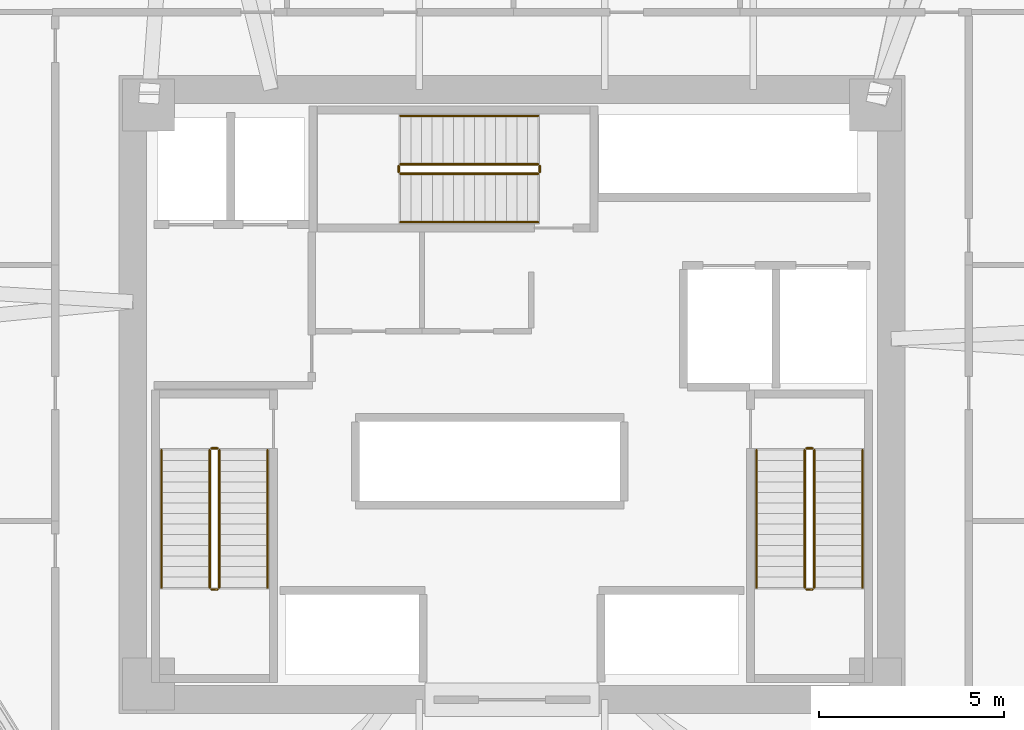
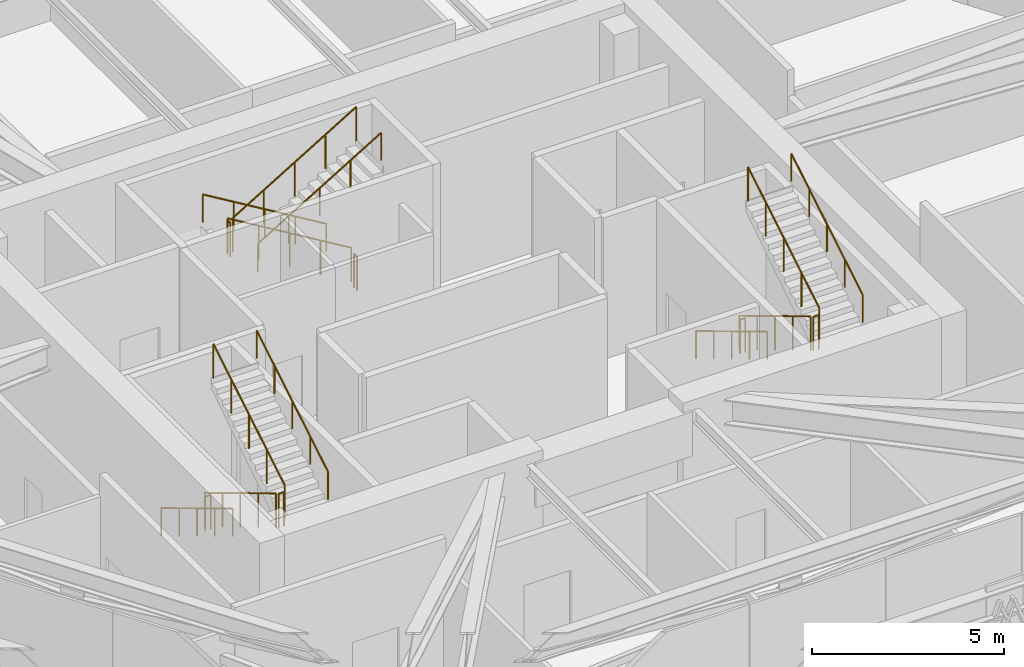
# One storey, part 10 of 10: 18 railings.
"""IFC4 building model written with IfcOpenShell, lengths in metres."""

from ifc_helpers import new_model, si_unit, direction, frame, origin, origin_2d, place, context, subcontext, project, spatial, circle, extrude, material, type_object, element, save


model = new_model("IFC4")

# Units and contexts
model_context = context("Model", 3, precision=1e-05, world=origin(), true_north=direction((0.0, 1.0)))
body_context = subcontext(model_context, "Body", "Model", "MODEL_VIEW")
ifc_project = project(units=[si_unit("LENGTHUNIT", "METRE"), si_unit("AREAUNIT", "SQUARE_METRE"), si_unit("VOLUMEUNIT", "CUBIC_METRE"), si_unit("PLANEANGLEUNIT", "RADIAN"), si_unit("MASSUNIT", "GRAM", prefix="KILO")], contexts=[model_context])

# Site, building, storey
site_placement = place(None, origin())
site = spatial("IfcSite", under=ifc_project, at=site_placement, CompositionType="ELEMENT")
building_placement = place(site_placement, origin())
building = spatial("IfcBuilding", under=site, at=building_placement, Name="Durnholm Broadcast Tower", CompositionType="ELEMENT")
storey_placement = place(building_placement, frame((0.0, 0.0, 88.5)))
storey = spatial("IfcBuildingStorey", under=building, at=storey_placement, Name="L23", CompositionType="ELEMENT", Elevation=88.5)

# Railings
ifc_material_1 = material(Name="Painted Tubular Steel Stair Guardrail", Category="steel")
railing_type_1 = type_object("IfcRailingType", Name="RAIL-ST-GRD", PredefinedType="GUARDRAIL", material=ifc_material_1)
railing_1_placement = place(storey_placement, frame((-8.14990234375, -1.5, 0.17138671875)))
element("IfcRailing", 1, at=railing_1_placement, inside=storey, type_object=railing_type_1, Name="L23 ST-1 stair guard 1", PredefinedType="GUARDRAIL", context=body_context, shape_type="SweptSolid", body=[
    extrude(circle(Radius=0.02392578125, at=origin_2d()), frame((0.0, 0.0, 1.076171875), z_axis=(0.0, -0.856934400257, 0.515425487977), x_axis=(1.0, 0.0, 0.0)), (0.0, 0.0, 1.0), 4.32373046875),
    extrude(circle(Radius=0.02099609375, at=origin_2d()), origin(), (0.0, 0.0, 1.0), 1.052001953125),
    extrude(circle(Radius=0.02099609375, at=origin_2d()), frame((0.0, -0.92626953125, 0.55712890625)), (0.0, 0.0, 1.0), 1.052001953125),
    extrude(circle(Radius=0.02099609375, at=origin_2d()), frame((0.0, -1.8525390625, 1.1142578125)), (0.0, 0.0, 1.0), 1.052001953125),
    extrude(circle(Radius=0.02099609375, at=origin_2d()), frame((0.0, -2.77880859375, 1.67138671875)), (0.0, 0.0, 1.0), 1.052001953125),
    extrude(circle(Radius=0.02099609375, at=origin_2d()), frame((0.0, -3.705078125, 2.228515625)), (0.0, 0.0, 1.0), 1.052001953125),
])
railing_2_placement = place(storey_placement, frame((-8.10009765625, -5.2548828125, 2.39990234375)))
element("IfcRailing", 2, at=railing_2_placement, inside=storey, type_object=railing_type_1, Name="L23 ST-1 stair guard 2", PredefinedType="GUARDRAIL", context=body_context, shape_type="SweptSolid", body=[
    extrude(circle(Radius=0.02392578125, at=origin_2d()), frame((0.0, 0.0, 1.076171875), z_axis=(1.0, 0.0, 0.0), x_axis=(0.0, 1.0, 0.0)), (0.0, 0.0, 1.0), 0.16015625),
    extrude(circle(Radius=0.02099609375, at=origin_2d()), origin(), (0.0, 0.0, 1.0), 1.052001953125),
    extrude(circle(Radius=0.02099609375, at=origin_2d()), frame((0.16015625, 0.0, 0.0)), (0.0, 0.0, 1.0), 1.052001953125),
])
railing_3_placement = place(storey_placement, frame((-7.889892578125, -5.205078125, 2.571533203125)))
element("IfcRailing", 3, at=railing_3_placement, inside=storey, type_object=railing_type_1, Name="L23 ST-1 stair guard 3", PredefinedType="GUARDRAIL", context=body_context, shape_type="SweptSolid", body=[
    extrude(circle(Radius=0.02392578125, at=origin_2d()), frame((0.0, 0.0, 1.076171875), z_axis=(0.0, 0.856934400257, 0.515425487977), x_axis=(-1.0, 0.0, 0.0)), (0.0, 0.0, 1.0), 4.32373046875),
    extrude(circle(Radius=0.02099609375, at=origin_2d()), origin(), (0.0, 0.0, 1.0), 1.052001953125),
    extrude(circle(Radius=0.02099609375, at=origin_2d()), frame((0.0, 0.92626953125, 0.55712890625)), (0.0, 0.0, 1.0), 1.052001953125),
    extrude(circle(Radius=0.02099609375, at=origin_2d()), frame((0.0, 1.8525390625, 1.1142578125)), (0.0, 0.0, 1.0), 1.052001953125),
    extrude(circle(Radius=0.02099609375, at=origin_2d()), frame((0.0, 2.77880859375, 1.67138671875)), (0.0, 0.0, 1.0), 1.052001953125),
    extrude(circle(Radius=0.02099609375, at=origin_2d()), frame((0.0, 3.705078125, 2.228515625)), (0.0, 0.0, 1.0), 1.052001953125),
])
railing_4_placement = place(storey_placement, frame((-8.10009765625, -1.449951171875, 0.0)))
element("IfcRailing", 4, at=railing_4_placement, inside=storey, type_object=railing_type_1, Name="L23 ST-1 stair guard 4", PredefinedType="GUARDRAIL", context=body_context, shape_type="SweptSolid", body=[
    extrude(circle(Radius=0.02392578125, at=origin_2d()), frame((0.0, 0.0, 1.076171875), z_axis=(1.0, 0.0, 0.0), x_axis=(0.0, 1.0, 0.0)), (0.0, 0.0, 1.0), 0.16015625),
    extrude(circle(Radius=0.02099609375, at=origin_2d()), origin(), (0.0, 0.0, 1.0), 1.052001953125),
    extrude(circle(Radius=0.02099609375, at=origin_2d()), frame((0.16015625, 0.0, 0.0)), (0.0, 0.0, 1.0), 1.052001953125),
])
railing_5_placement = place(storey_placement, frame((7.889892578125, -1.5, 0.17138671875)))
element("IfcRailing", 5, at=railing_5_placement, inside=storey, type_object=railing_type_1, Name="L23 ST-2 stair guard 1", PredefinedType="GUARDRAIL", context=body_context, shape_type="SweptSolid", body=[
    extrude(circle(Radius=0.02392578125, at=origin_2d()), frame((0.0, 0.0, 1.076171875), z_axis=(0.0, -0.856934400257, 0.515425487977), x_axis=(1.0, 0.0, 0.0)), (0.0, 0.0, 1.0), 4.32373046875),
    extrude(circle(Radius=0.02099609375, at=origin_2d()), origin(), (0.0, 0.0, 1.0), 1.052001953125),
    extrude(circle(Radius=0.02099609375, at=origin_2d()), frame((0.0, -0.92626953125, 0.55712890625)), (0.0, 0.0, 1.0), 1.052001953125),
    extrude(circle(Radius=0.02099609375, at=origin_2d()), frame((0.0, -1.8525390625, 1.1142578125)), (0.0, 0.0, 1.0), 1.052001953125),
    extrude(circle(Radius=0.02099609375, at=origin_2d()), frame((0.0, -2.77880859375, 1.67138671875)), (0.0, 0.0, 1.0), 1.052001953125),
    extrude(circle(Radius=0.02099609375, at=origin_2d()), frame((0.0, -3.705078125, 2.228515625)), (0.0, 0.0, 1.0), 1.052001953125),
])
railing_6_placement = place(storey_placement, frame((7.93994140625, -5.2548828125, 2.39990234375)))
element("IfcRailing", 6, at=railing_6_placement, inside=storey, type_object=railing_type_1, Name="L23 ST-2 stair guard 2", PredefinedType="GUARDRAIL", context=body_context, shape_type="SweptSolid", body=[
    extrude(circle(Radius=0.02392578125, at=origin_2d()), frame((0.0, 0.0, 1.076171875), z_axis=(1.0, 0.0, 0.0), x_axis=(0.0, 1.0, 0.0)), (0.0, 0.0, 1.0), 0.16015625),
    extrude(circle(Radius=0.02099609375, at=origin_2d()), origin(), (0.0, 0.0, 1.0), 1.052001953125),
    extrude(circle(Radius=0.02099609375, at=origin_2d()), frame((0.16015625, 0.0, 0.0)), (0.0, 0.0, 1.0), 1.052001953125),
])
railing_7_placement = place(storey_placement, frame((8.14990234375, -5.205078125, 2.571533203125)))
element("IfcRailing", 7, at=railing_7_placement, inside=storey, type_object=railing_type_1, Name="L23 ST-2 stair guard 3", PredefinedType="GUARDRAIL", context=body_context, shape_type="SweptSolid", body=[
    extrude(circle(Radius=0.02392578125, at=origin_2d()), frame((0.0, 0.0, 1.076171875), z_axis=(0.0, 0.856934400257, 0.515425487977), x_axis=(-1.0, 0.0, 0.0)), (0.0, 0.0, 1.0), 4.32373046875),
    extrude(circle(Radius=0.02099609375, at=origin_2d()), origin(), (0.0, 0.0, 1.0), 1.052001953125),
    extrude(circle(Radius=0.02099609375, at=origin_2d()), frame((0.0, 0.92626953125, 0.55712890625)), (0.0, 0.0, 1.0), 1.052001953125),
    extrude(circle(Radius=0.02099609375, at=origin_2d()), frame((0.0, 1.8525390625, 1.1142578125)), (0.0, 0.0, 1.0), 1.052001953125),
    extrude(circle(Radius=0.02099609375, at=origin_2d()), frame((0.0, 2.77880859375, 1.67138671875)), (0.0, 0.0, 1.0), 1.052001953125),
    extrude(circle(Radius=0.02099609375, at=origin_2d()), frame((0.0, 3.705078125, 2.228515625)), (0.0, 0.0, 1.0), 1.052001953125),
])
railing_8_placement = place(storey_placement, frame((7.93994140625, -1.449951171875, 0.0)))
element("IfcRailing", 8, at=railing_8_placement, inside=storey, type_object=railing_type_1, Name="L23 ST-2 stair guard 4", PredefinedType="GUARDRAIL", context=body_context, shape_type="SweptSolid", body=[
    extrude(circle(Radius=0.02392578125, at=origin_2d()), frame((0.0, 0.0, 1.076171875), z_axis=(1.0, 0.0, 0.0), x_axis=(0.0, 1.0, 0.0)), (0.0, 0.0, 1.0), 0.16015625),
    extrude(circle(Radius=0.02099609375, at=origin_2d()), origin(), (0.0, 0.0, 1.0), 1.052001953125),
    extrude(circle(Radius=0.02099609375, at=origin_2d()), frame((0.16015625, 0.0, 0.0)), (0.0, 0.0, 1.0), 1.052001953125),
])
railing_9_placement = place(storey_placement, frame((0.699951171875, 6.2099609375, 0.17138671875)))
element("IfcRailing", 9, at=railing_9_placement, inside=storey, type_object=railing_type_1, Name="L23 ST-3 stair guard 1", PredefinedType="GUARDRAIL", context=body_context, shape_type="SweptSolid", body=[
    extrude(circle(Radius=0.02392578125, at=origin_2d()), frame((0.0, 0.0, 1.076171875), z_axis=(-0.856919398105, 0.0, 0.515450429384), x_axis=(0.0, -1.0, 0.0)), (0.0, 0.0, 1.0), 4.323486328125),
    extrude(circle(Radius=0.02099609375, at=origin_2d()), origin(), (0.0, 0.0, 1.0), 1.052001953125),
    extrude(circle(Radius=0.02099609375, at=origin_2d()), frame((-0.92626953125, 0.0, 0.55712890625)), (0.0, 0.0, 1.0), 1.052001953125),
    extrude(circle(Radius=0.02099609375, at=origin_2d()), frame((-1.8525390625, 0.0, 1.1142578125)), (0.0, 0.0, 1.0), 1.052001953125),
    extrude(circle(Radius=0.02099609375, at=origin_2d()), frame((-2.778564453125, 0.0, 1.67138671875)), (0.0, 0.0, 1.0), 1.052001953125),
    extrude(circle(Radius=0.02099609375, at=origin_2d()), frame((-3.704833984375, 0.0, 2.228515625)), (0.0, 0.0, 1.0), 1.052001953125),
])
railing_10_placement = place(storey_placement, frame((-3.054931640625, 6.159912109375, 2.39990234375)))
element("IfcRailing", 10, at=railing_10_placement, inside=storey, type_object=railing_type_1, Name="L23 ST-3 stair guard 2", PredefinedType="GUARDRAIL", context=body_context, shape_type="SweptSolid", body=[
    extrude(circle(Radius=0.02392578125, at=origin_2d()), frame((0.0, 0.0, 1.076171875), z_axis=(0.0, -1.0, 0.0), x_axis=(1.0, 0.0, 0.0)), (0.0, 0.0, 1.0), 0.159912109375),
    extrude(circle(Radius=0.02099609375, at=origin_2d()), origin(), (0.0, 0.0, 1.0), 1.052001953125),
    extrude(circle(Radius=0.02099609375, at=origin_2d()), frame((0.0, -0.159912109375, 0.0)), (0.0, 0.0, 1.0), 1.052001953125),
])
railing_11_placement = place(storey_placement, frame((-3.0048828125, 5.949951171875, 2.571533203125)))
element("IfcRailing", 11, at=railing_11_placement, inside=storey, type_object=railing_type_1, Name="L23 ST-3 stair guard 3", PredefinedType="GUARDRAIL", context=body_context, shape_type="SweptSolid", body=[
    extrude(circle(Radius=0.02392578125, at=origin_2d()), frame((0.0, 0.0, 1.076171875), z_axis=(0.856919398105, 0.0, 0.515450429384), x_axis=(0.0, 1.0, 0.0)), (0.0, 0.0, 1.0), 4.323486328125),
    extrude(circle(Radius=0.02099609375, at=origin_2d()), origin(), (0.0, 0.0, 1.0), 1.052001953125),
    extrude(circle(Radius=0.02099609375, at=origin_2d()), frame((0.92626953125, 0.0, 0.55712890625)), (0.0, 0.0, 1.0), 1.052001953125),
    extrude(circle(Radius=0.02099609375, at=origin_2d()), frame((1.8525390625, 0.0, 1.1142578125)), (0.0, 0.0, 1.0), 1.052001953125),
    extrude(circle(Radius=0.02099609375, at=origin_2d()), frame((2.778564453125, 0.0, 1.67138671875)), (0.0, 0.0, 1.0), 1.052001953125),
    extrude(circle(Radius=0.02099609375, at=origin_2d()), frame((3.704833984375, 0.0, 2.228515625)), (0.0, 0.0, 1.0), 1.052001953125),
])
railing_12_placement = place(storey_placement, frame((0.75, 6.159912109375, 0.0)))
element("IfcRailing", 12, at=railing_12_placement, inside=storey, type_object=railing_type_1, Name="L23 ST-3 stair guard 4", PredefinedType="GUARDRAIL", context=body_context, shape_type="SweptSolid", body=[
    extrude(circle(Radius=0.02392578125, at=origin_2d()), frame((0.0, 0.0, 1.076171875), z_axis=(0.0, -1.0, 0.0), x_axis=(1.0, 0.0, 0.0)), (0.0, 0.0, 1.0), 0.159912109375),
    extrude(circle(Radius=0.02099609375, at=origin_2d()), origin(), (0.0, 0.0, 1.0), 1.052001953125),
    extrude(circle(Radius=0.02099609375, at=origin_2d()), frame((0.0, -0.159912109375, 0.0)), (0.0, 0.0, 1.0), 1.052001953125),
])
ifc_material_2 = material(Name="Brushed Stainless Steel Handrail", Category="steel")
railing_type_2 = type_object("IfcRailingType", Name="RAIL-ST-HND", PredefinedType="HANDRAIL", material=ifc_material_2)
railing_13_placement = place(storey_placement, frame((-9.449951171875, -1.5, 0.3427734375)))
element("IfcRailing", 13, at=railing_13_placement, inside=storey, type_object=railing_type_2, Name="L23 ST-1 stair handrail 1", PredefinedType="HANDRAIL", context=body_context, shape_type="SweptSolid", body=[
    extrude(circle(Radius=0.02392578125, at=origin_2d()), frame((0.0, 0.0, 0.8759765625), z_axis=(0.0, -0.856909459561, 0.515466951525), x_axis=(1.0, 0.0, 0.0)), (0.0, 0.0, 1.0), 4.32373046875),
    extrude(circle(Radius=0.02099609375, at=origin_2d()), origin(), (0.0, 0.0, 1.0), 0.851806640625),
    extrude(circle(Radius=0.02099609375, at=origin_2d()), frame((0.0, -0.92626953125, 0.55712890625)), (0.0, 0.0, 1.0), 0.851806640625),
    extrude(circle(Radius=0.02099609375, at=origin_2d()), frame((0.0, -1.8525390625, 1.1142578125)), (0.0, 0.0, 1.0), 0.851806640625),
    extrude(circle(Radius=0.02099609375, at=origin_2d()), frame((0.0, -2.77880859375, 1.671630859375)), (0.0, 0.0, 1.0), 0.851806640625),
    extrude(circle(Radius=0.02099609375, at=origin_2d()), frame((0.0, -3.705078125, 2.228759765625)), (0.0, 0.0, 1.0), 0.851806640625),
])
railing_14_placement = place(storey_placement, frame((-6.590087890625, -5.205078125, 2.742919921875)))
element("IfcRailing", 14, at=railing_14_placement, inside=storey, type_object=railing_type_2, Name="L23 ST-1 stair handrail 2", PredefinedType="HANDRAIL", context=body_context, shape_type="SweptSolid", body=[
    extrude(circle(Radius=0.02392578125, at=origin_2d()), frame((0.0, 0.0, 0.8759765625), z_axis=(0.0, 0.856934400257, 0.515425487977), x_axis=(-1.0, 0.0, 0.0)), (0.0, 0.0, 1.0), 4.32373046875),
    extrude(circle(Radius=0.02099609375, at=origin_2d()), origin(), (0.0, 0.0, 1.0), 0.851806640625),
    extrude(circle(Radius=0.02099609375, at=origin_2d()), frame((0.0, 0.92626953125, 0.55712890625)), (0.0, 0.0, 1.0), 0.851806640625),
    extrude(circle(Radius=0.02099609375, at=origin_2d()), frame((0.0, 1.8525390625, 1.1142578125)), (0.0, 0.0, 1.0), 0.851806640625),
    extrude(circle(Radius=0.02099609375, at=origin_2d()), frame((0.0, 2.77880859375, 1.67138671875)), (0.0, 0.0, 1.0), 0.851806640625),
    extrude(circle(Radius=0.02099609375, at=origin_2d()), frame((0.0, 3.705078125, 2.228515625)), (0.0, 0.0, 1.0), 0.851806640625),
])
railing_15_placement = place(storey_placement, frame((6.590087890625, -1.5, 0.3427734375)))
element("IfcRailing", 15, at=railing_15_placement, inside=storey, type_object=railing_type_2, Name="L23 ST-2 stair handrail 1", PredefinedType="HANDRAIL", context=body_context, shape_type="SweptSolid", body=[
    extrude(circle(Radius=0.02392578125, at=origin_2d()), frame((0.0, 0.0, 0.8759765625), z_axis=(0.0, -0.856909459561, 0.515466951525), x_axis=(1.0, 0.0, 0.0)), (0.0, 0.0, 1.0), 4.32373046875),
    extrude(circle(Radius=0.02099609375, at=origin_2d()), origin(), (0.0, 0.0, 1.0), 0.851806640625),
    extrude(circle(Radius=0.02099609375, at=origin_2d()), frame((0.0, -0.92626953125, 0.55712890625)), (0.0, 0.0, 1.0), 0.851806640625),
    extrude(circle(Radius=0.02099609375, at=origin_2d()), frame((0.0, -1.8525390625, 1.1142578125)), (0.0, 0.0, 1.0), 0.851806640625),
    extrude(circle(Radius=0.02099609375, at=origin_2d()), frame((0.0, -2.77880859375, 1.671630859375)), (0.0, 0.0, 1.0), 0.851806640625),
    extrude(circle(Radius=0.02099609375, at=origin_2d()), frame((0.0, -3.705078125, 2.228759765625)), (0.0, 0.0, 1.0), 0.851806640625),
])
railing_16_placement = place(storey_placement, frame((9.449951171875, -5.205078125, 2.742919921875)))
element("IfcRailing", 16, at=railing_16_placement, inside=storey, type_object=railing_type_2, Name="L23 ST-2 stair handrail 2", PredefinedType="HANDRAIL", context=body_context, shape_type="SweptSolid", body=[
    extrude(circle(Radius=0.02392578125, at=origin_2d()), frame((0.0, 0.0, 0.8759765625), z_axis=(0.0, 0.856934400257, 0.515425487977), x_axis=(-1.0, 0.0, 0.0)), (0.0, 0.0, 1.0), 4.32373046875),
    extrude(circle(Radius=0.02099609375, at=origin_2d()), origin(), (0.0, 0.0, 1.0), 0.851806640625),
    extrude(circle(Radius=0.02099609375, at=origin_2d()), frame((0.0, 0.92626953125, 0.55712890625)), (0.0, 0.0, 1.0), 0.851806640625),
    extrude(circle(Radius=0.02099609375, at=origin_2d()), frame((0.0, 1.8525390625, 1.1142578125)), (0.0, 0.0, 1.0), 0.851806640625),
    extrude(circle(Radius=0.02099609375, at=origin_2d()), frame((0.0, 2.77880859375, 1.67138671875)), (0.0, 0.0, 1.0), 0.851806640625),
    extrude(circle(Radius=0.02099609375, at=origin_2d()), frame((0.0, 3.705078125, 2.228515625)), (0.0, 0.0, 1.0), 0.851806640625),
])
railing_17_placement = place(storey_placement, frame((0.699951171875, 7.510009765625, 0.3427734375)))
element("IfcRailing", 17, at=railing_17_placement, inside=storey, type_object=railing_type_2, Name="L23 ST-3 stair handrail 1", PredefinedType="HANDRAIL", context=body_context, shape_type="SweptSolid", body=[
    extrude(circle(Radius=0.02392578125, at=origin_2d()), frame((0.0, 0.0, 0.8759765625), z_axis=(-0.856894455432, 0.0, 0.515491893485), x_axis=(0.0, -1.0, 0.0)), (0.0, 0.0, 1.0), 4.323486328125),
    extrude(circle(Radius=0.02099609375, at=origin_2d()), origin(), (0.0, 0.0, 1.0), 0.851806640625),
    extrude(circle(Radius=0.02099609375, at=origin_2d()), frame((-0.92626953125, 0.0, 0.55712890625)), (0.0, 0.0, 1.0), 0.851806640625),
    extrude(circle(Radius=0.02099609375, at=origin_2d()), frame((-1.8525390625, 0.0, 1.1142578125)), (0.0, 0.0, 1.0), 0.851806640625),
    extrude(circle(Radius=0.02099609375, at=origin_2d()), frame((-2.778564453125, 0.0, 1.671630859375)), (0.0, 0.0, 1.0), 0.851806640625),
    extrude(circle(Radius=0.02099609375, at=origin_2d()), frame((-3.704833984375, 0.0, 2.228759765625)), (0.0, 0.0, 1.0), 0.851806640625),
])
railing_18_placement = place(storey_placement, frame((-3.0048828125, 4.64990234375, 2.742919921875)))
element("IfcRailing", 18, at=railing_18_placement, inside=storey, type_object=railing_type_2, Name="L23 ST-3 stair handrail 2", PredefinedType="HANDRAIL", context=body_context, shape_type="SweptSolid", body=[
    extrude(circle(Radius=0.02392578125, at=origin_2d()), frame((0.0, 0.0, 0.8759765625), z_axis=(0.856919398105, 0.0, 0.515450429384), x_axis=(0.0, 1.0, 0.0)), (0.0, 0.0, 1.0), 4.323486328125),
    extrude(circle(Radius=0.02099609375, at=origin_2d()), origin(), (0.0, 0.0, 1.0), 0.851806640625),
    extrude(circle(Radius=0.02099609375, at=origin_2d()), frame((0.92626953125, 0.0, 0.55712890625)), (0.0, 0.0, 1.0), 0.851806640625),
    extrude(circle(Radius=0.02099609375, at=origin_2d()), frame((1.8525390625, 0.0, 1.1142578125)), (0.0, 0.0, 1.0), 0.851806640625),
    extrude(circle(Radius=0.02099609375, at=origin_2d()), frame((2.778564453125, 0.0, 1.67138671875)), (0.0, 0.0, 1.0), 0.851806640625),
    extrude(circle(Radius=0.02099609375, at=origin_2d()), frame((3.704833984375, 0.0, 2.228515625)), (0.0, 0.0, 1.0), 0.851806640625),
])

save(model, "model.ifc")
